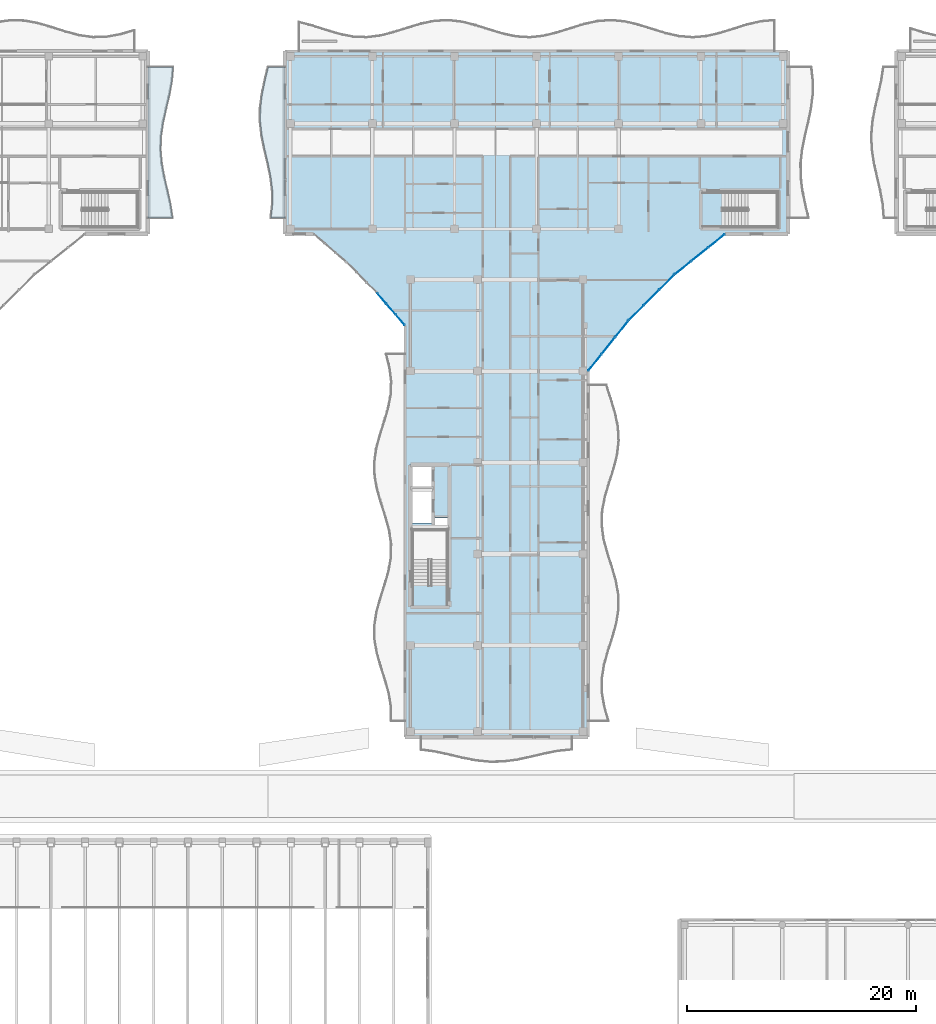
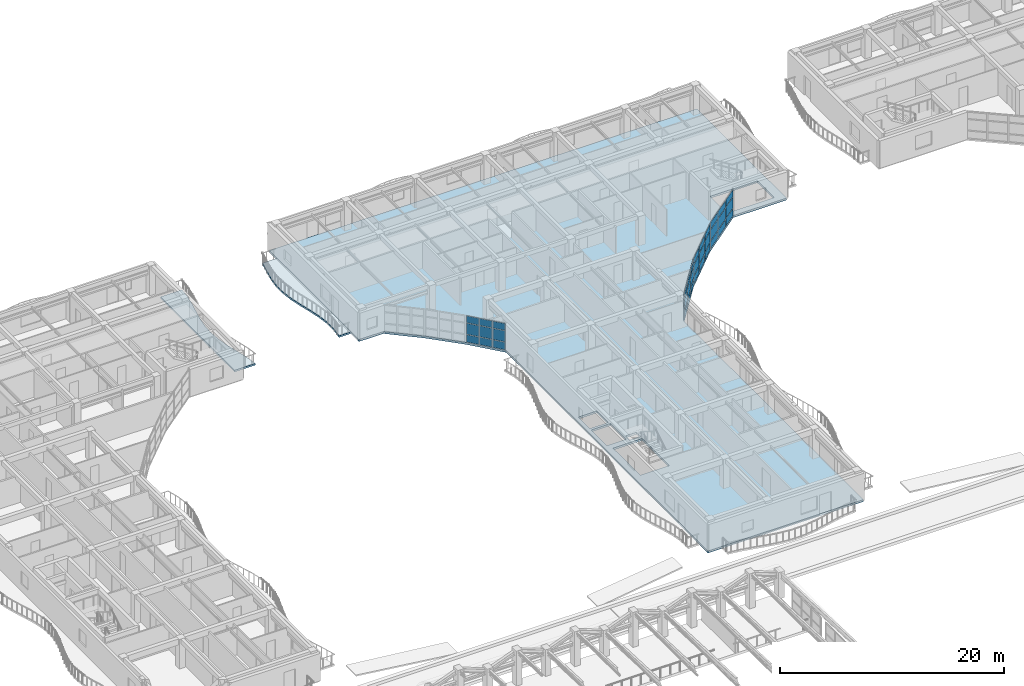
# One storey, part 75 of 128: 36 plates, 3 slabs, 4 elements without a shape of their own.
"""IFC4 building model written with IfcOpenShell, lengths in metres."""

import ifcopenshell
import ifcopenshell.guid

model = None  # the IFC model being written
_history = None  # IfcOwnerHistory: only IFC2X3 demands one
_inside = {}  # id of a spatial element -> (the spatial element, [elements in it])
_under = {}  # id of a project, library or spatial element -> (it, [spatial elements below it])
_declared = {}  # id of a project -> (the project, [libraries it declares])
_typed = {}  # id of a type object -> (the type object, [elements of that type])
_made_of = {}  # id of a material, layer set ... -> (it, [elements and type objects made of it])


def new_model(schema):
    """Start an empty IFC model of exactly this schema.

    Asked for "IFC4X3", IfcOpenShell would pick the latest addendum, in which some entities
    have other attributes; the version numbers below select the first issue.
    IFC2X3 requires an IfcOwnerHistory on every rooted entity: one is made here for all.
    """
    global model, _history
    if schema == "IFC4X3":
        model = ifcopenshell.file(schema_version=(4, 3, 0, 0))
    else:
        model = ifcopenshell.file(schema=schema)
    _inside.clear()
    _under.clear()
    _declared.clear()
    _typed.clear()
    _made_of.clear()
    _history = None
    if model.schema == "IFC2X3":
        org = make("IfcOrganization", Name="unknown")
        user = make(
            "IfcPersonAndOrganization",
            ThePerson=make("IfcPerson", FamilyName="unknown"),
            TheOrganization=org,
        )
        app = make(
            "IfcApplication",
            ApplicationDeveloper=org,
            Version="unknown",
            ApplicationFullName="unknown",
            ApplicationIdentifier="unknown",
        )
        _history = make(
            "IfcOwnerHistory",
            OwningUser=user,
            OwningApplication=app,
            ChangeAction="ADDED",
            CreationDate=0,
        )
    return model


def make(cls, **values):
    """One entity of the class cls with the attributes given. An attribute that is None is left unset."""
    return model.create_entity(
        cls, **{name: value for name, value in values.items() if value is not None}
    )


def rooted(cls, **values):
    """An entity with a GlobalId (a new one), such as an element, a storey or a relation."""
    return make(cls, GlobalId=ifcopenshell.guid.new(), OwnerHistory=_history, **values)


def si_unit(unit_type, name, prefix=None):
    """IfcSIUnit, for example si_unit("LENGTHUNIT", "METRE", prefix="MILLI")."""
    return make("IfcSIUnit", UnitType=unit_type, Prefix=prefix, Name=name)


def assignment(units):
    """IfcUnitAssignment: the units of a project."""
    return None if units is None else make("IfcUnitAssignment", Units=units)


def point(xyz):
    """IfcCartesianPoint."""
    return None if xyz is None else make("IfcCartesianPoint", Coordinates=xyz)


def direction(xyz):
    """IfcDirection."""
    return None if xyz is None else make("IfcDirection", DirectionRatios=xyz)


def frame(location, z_axis=None, x_axis=None):
    """IfcAxis2Placement3D, a coordinate frame: its origin and axes. An axis left out is left unset."""
    return make(
        "IfcAxis2Placement3D",
        Location=point(location),
        Axis=direction(z_axis),
        RefDirection=direction(x_axis),
    )


def frame_2d(location, x_axis=None):
    """IfcAxis2Placement2D, a coordinate frame in the plane: its origin and x axis."""
    return make(
        "IfcAxis2Placement2D", Location=point(location), RefDirection=direction(x_axis)
    )


def origin():
    """The frame at (0, 0, 0) with its axes left unset."""
    return frame((0.0, 0.0, 0.0))


def origin_2d():
    """The frame at (0, 0) in the plane with its x axis left unset."""
    return frame_2d((0.0, 0.0))


def place(relative_to, where):
    """IfcLocalPlacement: puts the frame where relative to a parent placement (None: the world)."""
    return make(
        "IfcLocalPlacement", PlacementRelTo=relative_to, RelativePlacement=where
    )


def context(
    kind, dimensions, precision=None, world=None, true_north=None, identifier=None
):
    """IfcGeometricRepresentationContext, for example the 3D "Model" context."""
    return make(
        "IfcGeometricRepresentationContext",
        ContextIdentifier=identifier,
        ContextType=kind,
        CoordinateSpaceDimension=dimensions,
        Precision=precision,
        WorldCoordinateSystem=world,
        TrueNorth=true_north,
    )


def subcontext(parent, identifier, kind, view, scale=None):
    """IfcGeometricRepresentationSubContext, for example "Body" below "Model"."""
    return make(
        "IfcGeometricRepresentationSubContext",
        ContextIdentifier=identifier,
        ContextType=kind,
        ParentContext=parent,
        TargetScale=scale,
        TargetView=view,
    )


def project(units=None, contexts=None):
    """IfcProject with its units and contexts."""
    return rooted(
        "IfcProject",
        Name="project",
        RepresentationContexts=contexts,
        UnitsInContext=assignment(units),
    )


def spatial(cls, under=None, at=None, **own):
    """A site, building, storey or space (cls), placed at a placement, below another one or the project."""
    s = rooted(cls, ObjectPlacement=at, **own)
    if under is not None:
        _under.setdefault(under.id(), (under, []))[1].append(s)
    return s


def polyline(points):
    """IfcPolyline through the points."""
    return make("IfcPolyline", Points=[point(p) for p in points])


def profile(cls, at=None, kind="AREA", **sizes):
    """A parametric profile (cls). Its sizes go by their IFC names, for example OverallWidth=200.0."""
    return make(cls, ProfileType=kind, Position=at, **sizes)


def rectangle(**sizes):
    """IfcRectangleProfileDef."""
    return profile("IfcRectangleProfileDef", **sizes)


def outline(outer, holes=None, kind="AREA"):
    """IfcArbitraryClosedProfileDef: a profile drawn as a closed curve; with holes, ...WithVoids."""
    if holes is None:
        return make("IfcArbitraryClosedProfileDef", ProfileType=kind, OuterCurve=outer)
    return make(
        "IfcArbitraryProfileDefWithVoids",
        ProfileType=kind,
        OuterCurve=outer,
        InnerCurves=holes,
    )


def extrude(swept, where, along, depth):
    """IfcExtrudedAreaSolid: the profile swept, set in the frame where, extruded along a direction by depth."""
    return make(
        "IfcExtrudedAreaSolid",
        SweptArea=swept,
        Position=where,
        ExtrudedDirection=direction(along),
        Depth=depth,
    )


def shape(context_of_items, identifier, shape_type, items):
    """IfcShapeRepresentation: the items that make up one representation, for example the "Body"."""
    return make(
        "IfcShapeRepresentation",
        ContextOfItems=context_of_items,
        RepresentationIdentifier=identifier,
        RepresentationType=shape_type,
        Items=items,
    )


def material(Name=None, Category=None):
    """IfcMaterial."""
    return make("IfcMaterial", Name=Name, Category=Category)


def layer(
    of_material, thickness, ventilated=None, Name=None, Category=None, Priority=None
):
    """IfcMaterialLayer: one layer of a wall or slab, of a material (None: an air gap)."""
    return make(
        "IfcMaterialLayer",
        Material=of_material,
        LayerThickness=thickness,
        IsVentilated=ventilated,
        Name=Name,
        Category=Category,
        Priority=Priority,
    )


def layer_set(layers, Name=None):
    """IfcMaterialLayerSet."""
    return make("IfcMaterialLayerSet", MaterialLayers=layers, LayerSetName=Name)


def made_of(thing, what):
    """Note that an element or type object is made of a material, layer set ...; save() writes the relation."""
    if what is not None:
        _made_of.setdefault(what.id(), (what, []))[1].append(thing)
    return thing


def type_object(cls, material=None, **own):
    """A type object (cls), such as IfcWallType, which elements share."""
    return made_of(rooted(cls, **own), material)


def element(
    cls,
    number,
    at=None,
    inside=None,
    cuts=None,
    type_object=None,
    material=None,
    context=None,
    identifier="Body",
    shape_type=None,
    held_by="IfcProductDefinitionShape",
    body=None,
    shapes=None,
    **own,
):
    """One element of the class cls, such as IfcWall. Its Tag is "e" and its number.

    at: its placement. inside: the storey or other place that contains it. cuts: it is an
    opening in that element (IfcRelVoidsElement). A single representation is given by context,
    identifier, shape_type and body (its items); several are given by shapes. held_by: the class
    of the entity that holds the representations. save() writes the other relations.
    """
    e = rooted(cls, Tag="e%d" % number, ObjectPlacement=at, **own)
    if body is not None:
        shapes = [shape(context, identifier, shape_type, body)]
    if shapes is not None:
        e.Representation = make(held_by, Representations=shapes)
    if inside is not None:
        _inside.setdefault(inside.id(), (inside, []))[1].append(e)
    if cuts is not None:
        rooted(
            "IfcRelVoidsElement", RelatingBuildingElement=cuts, RelatedOpeningElement=e
        )
    if type_object is not None:
        _typed.setdefault(type_object.id(), (type_object, []))[1].append(e)
    return made_of(e, material)


def aggregate(whole, parts):
    """IfcRelAggregates: a whole, such as a stair, and the parts it consists of."""
    return rooted("IfcRelAggregates", RelatingObject=whole, RelatedObjects=parts)


def save(model, path):
    """Write the relations noted so far, then the file.

    IfcRelAggregates (storeys below a building ...), IfcRelContainedInSpatialStructure (elements
    in a storey), IfcRelDefinesByType, IfcRelAssociatesMaterial and IfcRelDeclares: one each for
    every whole, place, type object, material and project.
    """
    for whole, parts in _under.values():
        aggregate(whole, parts)
    for where, things in _inside.values():
        rooted(
            "IfcRelContainedInSpatialStructure",
            RelatedElements=things,
            RelatingStructure=where,
        )
    for kind, things in _typed.values():
        rooted("IfcRelDefinesByType", RelatedObjects=things, RelatingType=kind)
    for what, things in _made_of.values():
        rooted("IfcRelAssociatesMaterial", RelatedObjects=things, RelatingMaterial=what)
    for by, libraries in _declared.values():
        rooted("IfcRelDeclares", RelatingContext=by, RelatedDefinitions=libraries)
    model.write(path)


model = new_model("IFC4")

# Units and contexts
model_context = context("Model", 3, precision=1e-05, world=origin(), true_north=direction((0.0, 1.0)))
body_context = subcontext(model_context, "Body", "Model", "MODEL_VIEW")
ifc_project = project(units=[si_unit("LENGTHUNIT", "METRE"), si_unit("AREAUNIT", "SQUARE_METRE"), si_unit("VOLUMEUNIT", "CUBIC_METRE"), si_unit("PLANEANGLEUNIT", "RADIAN"), si_unit("MASSUNIT", "GRAM", prefix="KILO")], contexts=[model_context])

# Site, building, storey
site_placement = place(None, origin())
site = spatial("IfcSite", under=ifc_project, at=site_placement, CompositionType="ELEMENT")
building_placement = place(site_placement, origin())
building = spatial("IfcBuilding", under=site, at=building_placement, Name="Keldmere Railside Commons", CompositionType="ELEMENT")
storey_placement = place(building_placement, frame((0.0, 0.0, 4.159912109375)))
storey = spatial("IfcBuildingStorey", under=building, at=storey_placement, Name="L01", CompositionType="ELEMENT", Elevation=4.159912109375)

# Curtain wall, plates
ifc_material_1 = material(Name="Thermally Broken Aluminium", Category="aluminium")
ifc_layer_1 = layer(ifc_material_1, 0.159912109375, Name="Court Chord Wintergarden CW 5400x2850")
ifc_layer_set_1 = layer_set([ifc_layer_1], Name="Thermally Broken Aluminium")
curtain_wall_type_1 = type_object("IfcCurtainWallType", Name="Court Chord Wintergarden CW 5400x2850", PredefinedType="NOTDEFINED", material=ifc_layer_set_1)
curtain_wall_1_placement = place(storey_placement, origin())
curtain_wall_1 = element("IfcCurtainWall", 1, at=curtain_wall_1_placement, inside=storey, type_object=curtain_wall_type_1, Name="CW-13 CW-L01-092", PredefinedType="NOTDEFINED")
ifc_material_2 = material(Name="Insulated Aluminium Spandrel Panel", Category="aluminium")
ifc_layer_2 = layer(ifc_material_2, 0.0439453125, Name="Insulated Ocher Spandrel Panel 44")
ifc_layer_set_2 = layer_set([ifc_layer_2], Name="Insulated Aluminium Spandrel Panel")
plate_type_1 = type_object("IfcPlateType", Name="Insulated Ocher Spandrel Panel 44", PredefinedType="CURTAIN_PANEL", material=ifc_layer_set_2)
plate_1_placement = place(storey_placement, frame((126.88916015625, 95.76513671875, 0.06494140625), z_axis=(0.0, 0.0, 1.0), x_axis=(-0.707106781187, -0.707106781187, 0.0)))
plate_1 = element("IfcPlate", 2, at=plate_1_placement, type_object=plate_type_1, Name="CW-13 panel 1.1", PredefinedType="CURTAIN_PANEL", context=body_context, shape_type="SweptSolid", body=[
    extrude(rectangle(XDim=1.795654296875, YDim=0.0439453125, at=origin_2d()), origin(), (0.0, 0.0, 1.0), 0.802490234375),
])
plate_2_placement = place(storey_placement, frame((126.88916015625, 95.76513671875, 0.9326171875), z_axis=(0.0, 0.0, 1.0), x_axis=(-0.707106781187, -0.707106781187, 0.0)))
plate_2 = element("IfcPlate", 3, at=plate_2_placement, type_object=plate_type_1, Name="CW-13 panel 1.2", PredefinedType="CURTAIN_PANEL", context=body_context, shape_type="SweptSolid", body=[
    extrude(rectangle(XDim=1.795654296875, YDim=0.0439453125, at=origin_2d()), origin(), (0.0, 0.0, 1.0), 1.18505859375),
])
plate_3_placement = place(storey_placement, frame((126.88916015625, 95.76513671875, 2.1826171875), z_axis=(0.0, 0.0, 1.0), x_axis=(-0.707106781187, -0.707106781187, 0.0)))
plate_3 = element("IfcPlate", 4, at=plate_3_placement, type_object=plate_type_1, Name="CW-13 panel 1.3", PredefinedType="CURTAIN_PANEL", context=body_context, shape_type="SweptSolid", body=[
    extrude(rectangle(XDim=1.795654296875, YDim=0.0439453125, at=origin_2d()), origin(), (0.0, 0.0, 1.0), 0.732421875),
])
plate_4_placement = place(storey_placement, frame((125.56201171875, 94.43798828125, 0.06494140625), z_axis=(0.0, 0.0, 1.0), x_axis=(-0.707106781187, -0.707106781187, 0.0)))
plate_4 = element("IfcPlate", 5, at=plate_4_placement, type_object=plate_type_1, Name="CW-13 panel 2.1", PredefinedType="CURTAIN_PANEL", context=body_context, shape_type="SweptSolid", body=[
    extrude(rectangle(XDim=1.828125, YDim=0.0439453125, at=origin_2d()), origin(), (0.0, 0.0, 1.0), 0.802490234375),
])
plate_5_placement = place(storey_placement, frame((125.56201171875, 94.43798828125, 0.9326171875), z_axis=(0.0, 0.0, 1.0), x_axis=(-0.707106781187, -0.707106781187, 0.0)))
plate_5 = element("IfcPlate", 6, at=plate_5_placement, type_object=plate_type_1, Name="CW-13 panel 2.2", PredefinedType="CURTAIN_PANEL", context=body_context, shape_type="SweptSolid", body=[
    extrude(rectangle(XDim=1.828125, YDim=0.0439453125, at=origin_2d()), origin(), (0.0, 0.0, 1.0), 1.18505859375),
])
plate_6_placement = place(storey_placement, frame((125.56201171875, 94.43798828125, 2.1826171875), z_axis=(0.0, 0.0, 1.0), x_axis=(-0.707106781187, -0.707106781187, 0.0)))
plate_6 = element("IfcPlate", 7, at=plate_6_placement, type_object=plate_type_1, Name="CW-13 panel 2.3", PredefinedType="CURTAIN_PANEL", context=body_context, shape_type="SweptSolid", body=[
    extrude(rectangle(XDim=1.828125, YDim=0.0439453125, at=origin_2d()), origin(), (0.0, 0.0, 1.0), 0.732421875),
])
plate_7_placement = place(storey_placement, frame((124.23486328125, 93.11083984375, 0.06494140625), z_axis=(0.0, 0.0, 1.0), x_axis=(-0.707106781187, -0.707106781187, 0.0)))
plate_7 = element("IfcPlate", 8, at=plate_7_placement, type_object=plate_type_1, Name="CW-13 panel 3.1", PredefinedType="CURTAIN_PANEL", context=body_context, shape_type="SweptSolid", body=[
    extrude(rectangle(XDim=1.795654296875, YDim=0.0439453125, at=origin_2d()), origin(), (0.0, 0.0, 1.0), 0.802490234375),
])
plate_8_placement = place(storey_placement, frame((124.23486328125, 93.11083984375, 0.9326171875), z_axis=(0.0, 0.0, 1.0), x_axis=(-0.707106781187, -0.707106781187, 0.0)))
plate_8 = element("IfcPlate", 9, at=plate_8_placement, type_object=plate_type_1, Name="CW-13 panel 3.2", PredefinedType="CURTAIN_PANEL", context=body_context, shape_type="SweptSolid", body=[
    extrude(rectangle(XDim=1.795654296875, YDim=0.0439453125, at=origin_2d()), origin(), (0.0, 0.0, 1.0), 1.18505859375),
])
plate_9_placement = place(storey_placement, frame((124.23486328125, 93.11083984375, 2.1826171875), z_axis=(0.0, 0.0, 1.0), x_axis=(-0.707106781187, -0.707106781187, 0.0)))
plate_9 = element("IfcPlate", 10, at=plate_9_placement, type_object=plate_type_1, Name="CW-13 panel 3.3", PredefinedType="CURTAIN_PANEL", context=body_context, shape_type="SweptSolid", body=[
    extrude(rectangle(XDim=1.795654296875, YDim=0.0439453125, at=origin_2d()), origin(), (0.0, 0.0, 1.0), 0.732421875),
])
aggregate(curtain_wall_1, [plate_1, plate_2, plate_3, plate_4, plate_5, plate_6, plate_7, plate_8, plate_9])

ifc_layer_3 = layer(ifc_material_1, 0.159912109375, Name="Court Chord Wintergarden CW 4800x2850")
ifc_layer_set_3 = layer_set([ifc_layer_3], Name="Thermally Broken Aluminium")
curtain_wall_type_2 = type_object("IfcCurtainWallType", Name="Court Chord Wintergarden CW 4800x2850", PredefinedType="NOTDEFINED", material=ifc_layer_set_3)
curtain_wall_2_placement = place(storey_placement, origin())
curtain_wall_2 = element("IfcCurtainWall", 11, at=curtain_wall_2_placement, inside=storey, type_object=curtain_wall_type_2, Name="CW-12 CW-L01-096", PredefinedType="NOTDEFINED")
plate_10_placement = place(storey_placement, frame((103.57763671875, 92.488525390625, 0.06494140625), z_axis=(0.0, 0.0, 1.0), x_axis=(-0.653881741053, 0.756596767584, 0.0)))
plate_10 = element("IfcPlate", 12, at=plate_10_placement, type_object=plate_type_1, Name="CW-12 panel 1.1", PredefinedType="CURTAIN_PANEL", context=body_context, shape_type="SweptSolid", body=[
    extrude(rectangle(XDim=1.16162109375, YDim=0.0439453125, at=origin_2d()), origin(), (0.0, 0.0, 1.0), 0.802490234375),
])
plate_11_placement = place(storey_placement, frame((103.57763671875, 92.488525390625, 0.9326171875), z_axis=(0.0, 0.0, 1.0), x_axis=(-0.653881741053, 0.756596767584, 0.0)))
plate_11 = element("IfcPlate", 13, at=plate_11_placement, type_object=plate_type_1, Name="CW-12 panel 1.2", PredefinedType="CURTAIN_PANEL", context=body_context, shape_type="SweptSolid", body=[
    extrude(rectangle(XDim=1.16162109375, YDim=0.0439453125, at=origin_2d()), origin(), (0.0, 0.0, 1.0), 1.18505859375),
])
plate_12_placement = place(storey_placement, frame((103.57763671875, 92.488525390625, 2.1826171875), z_axis=(0.0, 0.0, 1.0), x_axis=(-0.653881741053, 0.756596767584, 0.0)))
plate_12 = element("IfcPlate", 14, at=plate_12_placement, type_object=plate_type_1, Name="CW-12 panel 1.3", PredefinedType="CURTAIN_PANEL", context=body_context, shape_type="SweptSolid", body=[
    extrude(rectangle(XDim=1.16162109375, YDim=0.0439453125, at=origin_2d()), origin(), (0.0, 0.0, 1.0), 0.732421875),
])
plate_13_placement = place(storey_placement, frame((102.764892578125, 93.428955078125, 0.06494140625), z_axis=(0.0, 0.0, 1.0), x_axis=(-0.653881741053, 0.756596767584, 0.0)))
plate_13 = element("IfcPlate", 15, at=plate_13_placement, type_object=plate_type_1, Name="CW-12 panel 2.1", PredefinedType="CURTAIN_PANEL", context=body_context, shape_type="SweptSolid", body=[
    extrude(rectangle(XDim=1.194091796875, YDim=0.0439453125, at=origin_2d()), origin(), (0.0, 0.0, 1.0), 0.802490234375),
])
plate_14_placement = place(storey_placement, frame((102.764892578125, 93.428955078125, 0.9326171875), z_axis=(0.0, 0.0, 1.0), x_axis=(-0.653881741053, 0.756596767584, 0.0)))
plate_14 = element("IfcPlate", 16, at=plate_14_placement, type_object=plate_type_1, Name="CW-12 panel 2.2", PredefinedType="CURTAIN_PANEL", context=body_context, shape_type="SweptSolid", body=[
    extrude(rectangle(XDim=1.194091796875, YDim=0.0439453125, at=origin_2d()), origin(), (0.0, 0.0, 1.0), 1.18505859375),
])
plate_15_placement = place(storey_placement, frame((102.764892578125, 93.428955078125, 2.1826171875), z_axis=(0.0, 0.0, 1.0), x_axis=(-0.653881741053, 0.756596767584, 0.0)))
plate_15 = element("IfcPlate", 17, at=plate_15_placement, type_object=plate_type_1, Name="CW-12 panel 2.3", PredefinedType="CURTAIN_PANEL", context=body_context, shape_type="SweptSolid", body=[
    extrude(rectangle(XDim=1.194091796875, YDim=0.0439453125, at=origin_2d()), origin(), (0.0, 0.0, 1.0), 0.732421875),
])
plate_16_placement = place(storey_placement, frame((101.952392578125, 94.369384765625, 0.06494140625), z_axis=(0.0, 0.0, 1.0), x_axis=(-0.653881741053, 0.756596767584, 0.0)))
plate_16 = element("IfcPlate", 18, at=plate_16_placement, type_object=plate_type_1, Name="CW-12 panel 3.1", PredefinedType="CURTAIN_PANEL", context=body_context, shape_type="SweptSolid", body=[
    extrude(rectangle(XDim=1.16162109375, YDim=0.0439453125, at=origin_2d()), origin(), (0.0, 0.0, 1.0), 0.802490234375),
])
plate_17_placement = place(storey_placement, frame((101.952392578125, 94.369384765625, 0.9326171875), z_axis=(0.0, 0.0, 1.0), x_axis=(-0.653881741053, 0.756596767584, 0.0)))
plate_17 = element("IfcPlate", 19, at=plate_17_placement, type_object=plate_type_1, Name="CW-12 panel 3.2", PredefinedType="CURTAIN_PANEL", context=body_context, shape_type="SweptSolid", body=[
    extrude(rectangle(XDim=1.16162109375, YDim=0.0439453125, at=origin_2d()), origin(), (0.0, 0.0, 1.0), 1.18505859375),
])
plate_18_placement = place(storey_placement, frame((101.952392578125, 94.369384765625, 2.1826171875), z_axis=(0.0, 0.0, 1.0), x_axis=(-0.653881741053, 0.756596767584, 0.0)))
plate_18 = element("IfcPlate", 20, at=plate_18_placement, type_object=plate_type_1, Name="CW-12 panel 3.3", PredefinedType="CURTAIN_PANEL", context=body_context, shape_type="SweptSolid", body=[
    extrude(rectangle(XDim=1.16162109375, YDim=0.0439453125, at=origin_2d()), origin(), (0.0, 0.0, 1.0), 0.732421875),
])
aggregate(curtain_wall_2, [plate_10, plate_11, plate_12, plate_13, plate_14, plate_15, plate_16, plate_17, plate_18])

curtain_wall_3_placement = place(storey_placement, origin())
curtain_wall_3 = element("IfcCurtainWall", 21, at=curtain_wall_3_placement, inside=storey, type_object=curtain_wall_type_2, Name="CW-12 CW-L01-091", PredefinedType="NOTDEFINED")
ifc_layer_4 = layer(ifc_material_2, 0.050048828125, Name="Insulated Terracotta Spandrel Panel 50")
ifc_layer_set_4 = layer_set([ifc_layer_4], Name="Insulated Aluminium Spandrel Panel")
plate_type_2 = type_object("IfcPlateType", Name="Insulated Terracotta Spandrel Panel 50", PredefinedType="CURTAIN_PANEL", material=ifc_layer_set_4)
plate_19_placement = place(storey_placement, frame((122.951416015625, 91.678955078125, 0.06494140625), z_axis=(0.0, 0.0, 1.0), x_axis=(-0.625768080915, -0.780009172323, 0.0)))
plate_19 = element("IfcPlate", 22, at=plate_19_placement, type_object=plate_type_2, Name="CW-12 panel 1.1", PredefinedType="CURTAIN_PANEL", context=body_context, shape_type="SweptSolid", body=[
    extrude(rectangle(XDim=1.795654296875, YDim=0.050048828125, at=origin_2d()), origin(), (0.0, 0.0, 1.0), 0.802490234375),
])
plate_20_placement = place(storey_placement, frame((122.951416015625, 91.678955078125, 0.9326171875), z_axis=(0.0, 0.0, 1.0), x_axis=(-0.625768080915, -0.780009172323, 0.0)))
plate_20 = element("IfcPlate", 23, at=plate_20_placement, type_object=plate_type_2, Name="CW-12 panel 1.2", PredefinedType="CURTAIN_PANEL", context=body_context, shape_type="SweptSolid", body=[
    extrude(rectangle(XDim=1.795654296875, YDim=0.050048828125, at=origin_2d()), origin(), (0.0, 0.0, 1.0), 1.18505859375),
])
plate_21_placement = place(storey_placement, frame((122.951416015625, 91.678955078125, 2.1826171875), z_axis=(0.0, 0.0, 1.0), x_axis=(-0.625768080915, -0.780009172323, 0.0)))
plate_21 = element("IfcPlate", 24, at=plate_21_placement, type_object=plate_type_2, Name="CW-12 panel 1.3", PredefinedType="CURTAIN_PANEL", context=body_context, shape_type="SweptSolid", body=[
    extrude(rectangle(XDim=1.795654296875, YDim=0.050048828125, at=origin_2d()), origin(), (0.0, 0.0, 1.0), 0.732421875),
])
plate_22_placement = place(storey_placement, frame((121.777099609375, 90.215087890625, 0.06494140625), z_axis=(0.0, 0.0, 1.0), x_axis=(-0.625768080915, -0.780009172323, 0.0)))
plate_22 = element("IfcPlate", 25, at=plate_22_placement, type_object=plate_type_2, Name="CW-12 panel 2.1", PredefinedType="CURTAIN_PANEL", context=body_context, shape_type="SweptSolid", body=[
    extrude(rectangle(XDim=1.828125, YDim=0.050048828125, at=origin_2d()), origin(), (0.0, 0.0, 1.0), 0.802490234375),
])
plate_23_placement = place(storey_placement, frame((121.777099609375, 90.215087890625, 0.9326171875), z_axis=(0.0, 0.0, 1.0), x_axis=(-0.625768080915, -0.780009172323, 0.0)))
plate_23 = element("IfcPlate", 26, at=plate_23_placement, type_object=plate_type_2, Name="CW-12 panel 2.2", PredefinedType="CURTAIN_PANEL", context=body_context, shape_type="SweptSolid", body=[
    extrude(rectangle(XDim=1.828125, YDim=0.050048828125, at=origin_2d()), origin(), (0.0, 0.0, 1.0), 1.18505859375),
])
plate_24_placement = place(storey_placement, frame((121.777099609375, 90.215087890625, 2.1826171875), z_axis=(0.0, 0.0, 1.0), x_axis=(-0.625768080915, -0.780009172323, 0.0)))
plate_24 = element("IfcPlate", 27, at=plate_24_placement, type_object=plate_type_2, Name="CW-12 panel 2.3", PredefinedType="CURTAIN_PANEL", context=body_context, shape_type="SweptSolid", body=[
    extrude(rectangle(XDim=1.828125, YDim=0.050048828125, at=origin_2d()), origin(), (0.0, 0.0, 1.0), 0.732421875),
])
plate_25_placement = place(storey_placement, frame((120.6025390625, 88.7509765625, 0.06494140625), z_axis=(0.0, 0.0, 1.0), x_axis=(-0.625768080915, -0.780009172323, 0.0)))
plate_25 = element("IfcPlate", 28, at=plate_25_placement, type_object=plate_type_2, Name="CW-12 panel 3.1", PredefinedType="CURTAIN_PANEL", context=body_context, shape_type="SweptSolid", body=[
    extrude(rectangle(XDim=1.795654296875, YDim=0.050048828125, at=origin_2d()), origin(), (0.0, 0.0, 1.0), 0.802490234375),
])
plate_26_placement = place(storey_placement, frame((120.6025390625, 88.7509765625, 0.9326171875), z_axis=(0.0, 0.0, 1.0), x_axis=(-0.625768080915, -0.780009172323, 0.0)))
plate_26 = element("IfcPlate", 29, at=plate_26_placement, type_object=plate_type_2, Name="CW-12 panel 3.2", PredefinedType="CURTAIN_PANEL", context=body_context, shape_type="SweptSolid", body=[
    extrude(rectangle(XDim=1.795654296875, YDim=0.050048828125, at=origin_2d()), origin(), (0.0, 0.0, 1.0), 1.18505859375),
])
plate_27_placement = place(storey_placement, frame((120.6025390625, 88.7509765625, 2.1826171875), z_axis=(0.0, 0.0, 1.0), x_axis=(-0.625768080915, -0.780009172323, 0.0)))
plate_27 = element("IfcPlate", 30, at=plate_27_placement, type_object=plate_type_2, Name="CW-12 panel 3.3", PredefinedType="CURTAIN_PANEL", context=body_context, shape_type="SweptSolid", body=[
    extrude(rectangle(XDim=1.795654296875, YDim=0.050048828125, at=origin_2d()), origin(), (0.0, 0.0, 1.0), 0.732421875),
])
aggregate(curtain_wall_3, [plate_19, plate_20, plate_21, plate_22, plate_23, plate_24, plate_25, plate_26, plate_27])

curtain_wall_4_placement = place(storey_placement, origin())
curtain_wall_4 = element("IfcCurtainWall", 31, at=curtain_wall_4_placement, inside=storey, type_object=curtain_wall_type_2, Name="CW-12 CW-L01-093", PredefinedType="NOTDEFINED")
plate_28_placement = place(storey_placement, frame((131.2490234375, 99.3974609375, 0.06494140625), z_axis=(0.0, 0.0, 1.0), x_axis=(-0.780009172323, -0.625768080915, 0.0)))
plate_28 = element("IfcPlate", 32, at=plate_28_placement, type_object=plate_type_2, Name="CW-12 panel 1.1", PredefinedType="CURTAIN_PANEL", context=body_context, shape_type="SweptSolid", body=[
    extrude(rectangle(XDim=1.795654296875, YDim=0.050048828125, at=origin_2d()), origin(), (0.0, 0.0, 1.0), 0.802490234375),
])
plate_29_placement = place(storey_placement, frame((131.2490234375, 99.3974609375, 0.9326171875), z_axis=(0.0, 0.0, 1.0), x_axis=(-0.780009172323, -0.625768080915, 0.0)))
plate_29 = element("IfcPlate", 33, at=plate_29_placement, type_object=plate_type_2, Name="CW-12 panel 1.2", PredefinedType="CURTAIN_PANEL", context=body_context, shape_type="SweptSolid", body=[
    extrude(rectangle(XDim=1.795654296875, YDim=0.050048828125, at=origin_2d()), origin(), (0.0, 0.0, 1.0), 1.18505859375),
])
plate_30_placement = place(storey_placement, frame((131.2490234375, 99.3974609375, 2.1826171875), z_axis=(0.0, 0.0, 1.0), x_axis=(-0.780009172323, -0.625768080915, 0.0)))
plate_30 = element("IfcPlate", 34, at=plate_30_placement, type_object=plate_type_2, Name="CW-12 panel 1.3", PredefinedType="CURTAIN_PANEL", context=body_context, shape_type="SweptSolid", body=[
    extrude(rectangle(XDim=1.795654296875, YDim=0.050048828125, at=origin_2d()), origin(), (0.0, 0.0, 1.0), 0.732421875),
])
plate_31_placement = place(storey_placement, frame((129.784912109375, 98.222900390625, 0.06494140625), z_axis=(0.0, 0.0, 1.0), x_axis=(-0.780009172323, -0.625768080915, 0.0)))
plate_31 = element("IfcPlate", 35, at=plate_31_placement, type_object=plate_type_2, Name="CW-12 panel 2.1", PredefinedType="CURTAIN_PANEL", context=body_context, shape_type="SweptSolid", body=[
    extrude(rectangle(XDim=1.828125, YDim=0.050048828125, at=origin_2d()), origin(), (0.0, 0.0, 1.0), 0.802490234375),
])
plate_32_placement = place(storey_placement, frame((129.784912109375, 98.222900390625, 0.9326171875), z_axis=(0.0, 0.0, 1.0), x_axis=(-0.780009172323, -0.625768080915, 0.0)))
plate_32 = element("IfcPlate", 36, at=plate_32_placement, type_object=plate_type_2, Name="CW-12 panel 2.2", PredefinedType="CURTAIN_PANEL", context=body_context, shape_type="SweptSolid", body=[
    extrude(rectangle(XDim=1.828125, YDim=0.050048828125, at=origin_2d()), origin(), (0.0, 0.0, 1.0), 1.18505859375),
])
plate_33_placement = place(storey_placement, frame((129.784912109375, 98.222900390625, 2.1826171875), z_axis=(0.0, 0.0, 1.0), x_axis=(-0.780009172323, -0.625768080915, 0.0)))
plate_33 = element("IfcPlate", 37, at=plate_33_placement, type_object=plate_type_2, Name="CW-12 panel 2.3", PredefinedType="CURTAIN_PANEL", context=body_context, shape_type="SweptSolid", body=[
    extrude(rectangle(XDim=1.828125, YDim=0.050048828125, at=origin_2d()), origin(), (0.0, 0.0, 1.0), 0.732421875),
])
plate_34_placement = place(storey_placement, frame((128.321044921875, 97.048583984375, 0.06494140625), z_axis=(0.0, 0.0, 1.0), x_axis=(-0.780009172323, -0.625768080915, 0.0)))
plate_34 = element("IfcPlate", 38, at=plate_34_placement, type_object=plate_type_2, Name="CW-12 panel 3.1", PredefinedType="CURTAIN_PANEL", context=body_context, shape_type="SweptSolid", body=[
    extrude(rectangle(XDim=1.795654296875, YDim=0.050048828125, at=origin_2d()), origin(), (0.0, 0.0, 1.0), 0.802490234375),
])
plate_35_placement = place(storey_placement, frame((128.321044921875, 97.048583984375, 0.9326171875), z_axis=(0.0, 0.0, 1.0), x_axis=(-0.780009172323, -0.625768080915, 0.0)))
plate_35 = element("IfcPlate", 39, at=plate_35_placement, type_object=plate_type_2, Name="CW-12 panel 3.2", PredefinedType="CURTAIN_PANEL", context=body_context, shape_type="SweptSolid", body=[
    extrude(rectangle(XDim=1.795654296875, YDim=0.050048828125, at=origin_2d()), origin(), (0.0, 0.0, 1.0), 1.18505859375),
])
plate_36_placement = place(storey_placement, frame((128.321044921875, 97.048583984375, 2.1826171875), z_axis=(0.0, 0.0, 1.0), x_axis=(-0.780009172323, -0.625768080915, 0.0)))
plate_36 = element("IfcPlate", 40, at=plate_36_placement, type_object=plate_type_2, Name="CW-12 panel 3.3", PredefinedType="CURTAIN_PANEL", context=body_context, shape_type="SweptSolid", body=[
    extrude(rectangle(XDim=1.795654296875, YDim=0.050048828125, at=origin_2d()), origin(), (0.0, 0.0, 1.0), 0.732421875),
])
aggregate(curtain_wall_4, [plate_28, plate_29, plate_30, plate_31, plate_32, plate_33, plate_34, plate_35, plate_36])

# Slabs
ifc_material_3 = material(Name="Concrete H-30 (C30/37)", Category="concrete")
ifc_layer_5 = layer(ifc_material_3, 0.219970703125, Name="Residential Flat Slab 220")
ifc_layer_set_5 = layer_set([ifc_layer_5], Name="Concrete H-30 (C30/37)")
slab_type_1 = type_object("IfcSlabType", Name="Residential Flat Slab 220", PredefinedType="FLOOR", material=ifc_layer_set_5)
slab_1_placement = place(storey_placement, frame((0.0, 0.0, -0.219970703125)))
element("IfcSlab", 41, at=slab_1_placement, inside=storey, type_object=slab_type_1, Name="FS-2 BLKB-L01-036", PredefinedType="FLOOR", context=body_context, shape_type="SweptSolid", body=[
    extrude(outline(polyline([(104.0, 56.0), (120.0, 56.0), (120.0, 88.0), (123.553955078125, 92.429931640625), (127.570068359375, 96.446044921875), (132.0, 100.0), (137.5, 100.0), (137.5, 116.0), (93.5, 116.0), (93.5, 100.0), (96.0, 100.0), (98.85791015625, 97.530029296875), (101.530029296875, 94.85791015625), (104.0, 92.0), (104.0, 56.0)]), holes=[polyline([(107.675048828125, 69.22509765625), (104.675048828125, 69.22509765625), (104.675048828125, 74.074951171875), (107.675048828125, 74.074951171875), (107.675048828125, 69.22509765625)]), polyline([(106.60009765625, 74.419921875), (106.60009765625, 75.159912109375), (107.699951171875, 75.159912109375), (107.699951171875, 74.419921875), (106.60009765625, 74.419921875)]), polyline([(104.39990234375, 74.699951171875), (104.39990234375, 77.5), (106.39990234375, 77.5), (106.39990234375, 74.699951171875), (104.39990234375, 74.699951171875)]), polyline([(104.39990234375, 77.75), (104.39990234375, 79.800048828125), (106.300048828125, 79.800048828125), (106.300048828125, 77.75), (104.39990234375, 77.75)]), polyline([(131.72509765625, 103.625), (136.574951171875, 103.625), (136.574951171875, 100.625), (131.72509765625, 100.625), (131.72509765625, 103.625)])]), origin(), (0.0, 0.0, 1.0), 0.219970703125),
])
ifc_material_4 = material(Name="White Precast Concrete H-35 (C35/45)", Category="concrete")
ifc_layer_6 = layer(ifc_material_4, 0.179931640625, Name="Sinusoidal Wave Balcony Slab 180")
ifc_layer_set_6 = layer_set([ifc_layer_6], Name="White Precast Concrete H-35 (C35/45)")
slab_type_2 = type_object("IfcSlabType", Name="Sinusoidal Wave Balcony Slab 180", PredefinedType="FLOOR", material=ifc_layer_set_6)
slab_2_placement = place(storey_placement, frame((0.0, 0.0, -0.179931640625)))
element("IfcSlab", 42, at=slab_2_placement, inside=storey, type_object=slab_type_2, Name="WB-1 C L01 WE Wave Balcony", PredefinedType="FLOOR", context=body_context, shape_type="SweptSolid", body=[
    extrude(outline(polyline([(83.650146484375, 101.39990234375), (83.46875, 102.60009765625), (83.201904296875, 103.800048828125), (82.921142578125, 105.0), (82.70166015625, 106.199951171875), (82.602294921875, 107.39990234375), (82.64990234375, 108.60009765625), (82.831298828125, 109.800048828125), (83.09814453125, 111.0), (83.37890625, 112.199951171875), (83.598388671875, 113.39990234375), (83.697509765625, 114.60009765625), (81.5, 114.60009765625), (81.5, 113.39990234375), (81.5, 112.199951171875), (81.5, 111.0), (81.5, 109.800048828125), (81.5, 108.60009765625), (81.5, 107.39990234375), (81.5, 106.199951171875), (81.5, 105.0), (81.5, 103.800048828125), (81.5, 102.60009765625), (81.5, 101.39990234375), (83.650146484375, 101.39990234375)])), origin(), (0.0, 0.0, 1.0), 0.179931640625),
])
slab_3_placement = place(storey_placement, frame((0.0, 0.0, -0.179931640625)))
element("IfcSlab", 43, at=slab_3_placement, inside=storey, type_object=slab_type_2, Name="WB-1 B L01 WW Wave Balcony", PredefinedType="FLOOR", context=body_context, shape_type="SweptSolid", body=[
    extrude(outline(polyline([(93.5, 101.39990234375), (93.5, 102.60009765625), (93.5, 103.800048828125), (93.5, 105.0), (93.5, 106.199951171875), (93.5, 107.39990234375), (93.5, 108.60009765625), (93.5, 109.800048828125), (93.5, 111.0), (93.5, 112.199951171875), (93.5, 113.39990234375), (93.5, 114.60009765625), (92.00439453125, 114.60009765625), (91.719970703125, 113.39990234375), (91.47021484375, 112.199951171875), (91.322265625, 111.0), (91.315673828125, 109.800048828125), (91.4521484375, 108.60009765625), (91.695556640625, 107.39990234375), (91.97998046875, 106.199951171875), (92.22998046875, 105.0), (92.377685546875, 103.800048828125), (92.384521484375, 102.60009765625), (92.247802734375, 101.39990234375), (93.5, 101.39990234375)])), origin(), (0.0, 0.0, 1.0), 0.179931640625),
])

save(model, "model.ifc")
